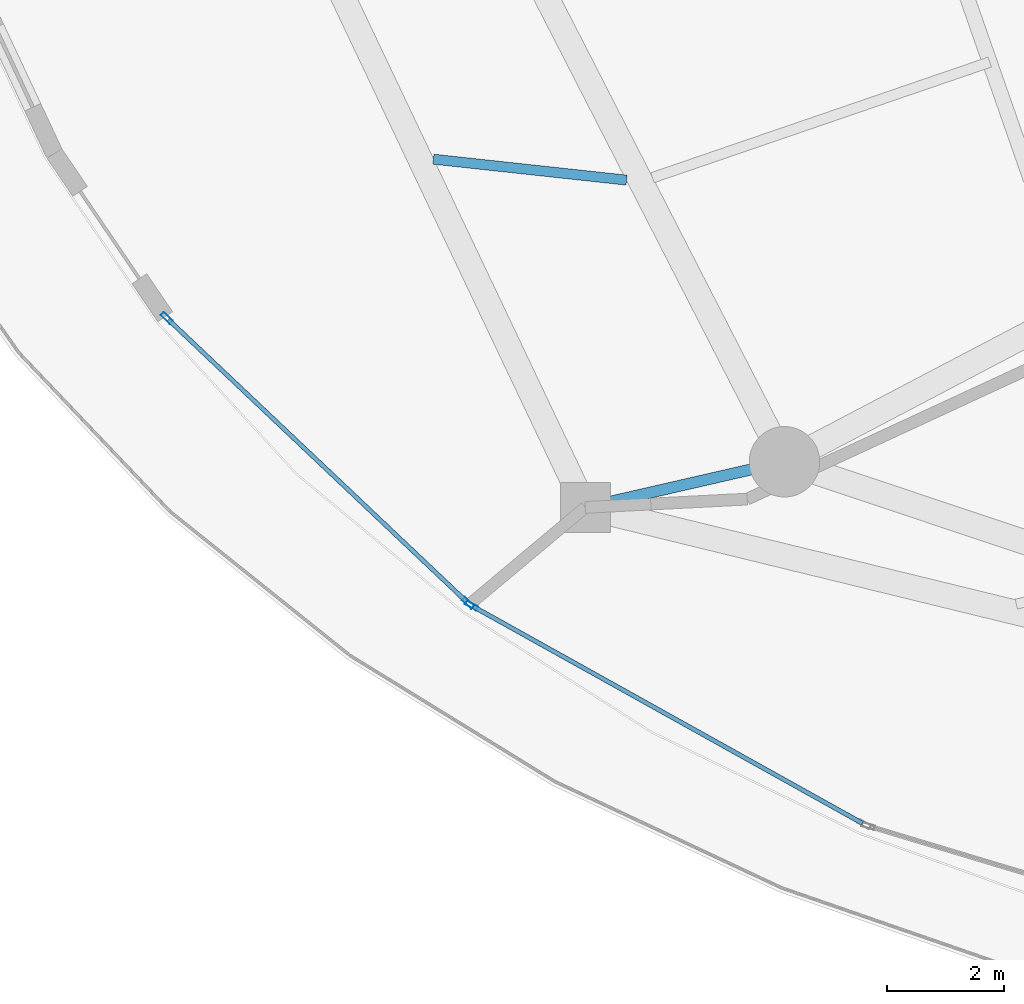
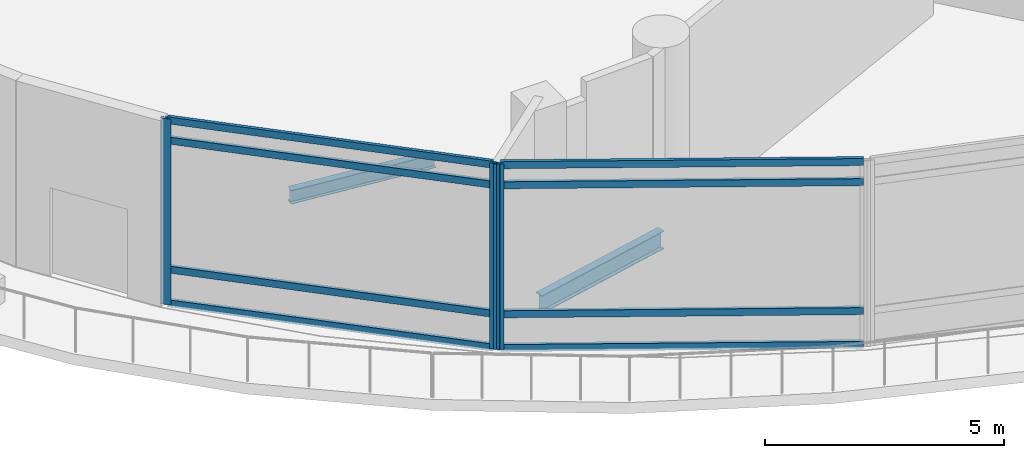
# One storey, part 2 of 34: 11 members, 2 beams, 2 elements without a shape of their own.
"""IFC4 building model written with IfcOpenShell, lengths in metres."""

from ifc_helpers import new_model, si_unit, direction, frame, origin, origin_2d, place, context, subcontext, project, spatial, hollow_rectangle, i_section, extrude, material, layer, layer_set, material_profile, profile_set, type_object, element, aggregate, save


model = new_model("IFC4")

# Units and contexts
model_context = context("Model", 3, precision=1e-05, world=origin(), true_north=direction((0.0, 1.0)))
body_context = subcontext(model_context, "Body", "Model", "MODEL_VIEW")
ifc_project = project(units=[si_unit("LENGTHUNIT", "METRE"), si_unit("AREAUNIT", "SQUARE_METRE"), si_unit("VOLUMEUNIT", "CUBIC_METRE"), si_unit("PLANEANGLEUNIT", "RADIAN"), si_unit("MASSUNIT", "GRAM", prefix="KILO")], contexts=[model_context])

# Site, building, storey
site_placement = place(None, origin())
site = spatial("IfcSite", under=ifc_project, at=site_placement, CompositionType="ELEMENT")
building_placement = place(site_placement, origin())
building = spatial("IfcBuilding", under=site, at=building_placement, Name="Nuhasar Tower", CompositionType="ELEMENT")
storey_placement = place(building_placement, frame((0.0, 0.0, 16.0)))
storey = spatial("IfcBuildingStorey", under=building, at=storey_placement, Name="L03", CompositionType="ELEMENT", Elevation=16.0)

# Beams
ifc_material_1 = material(Name="Steel S355", Category="steel")
ifc_material_profile_1 = material_profile(ifc_material_1, i_section(OverallWidth=0.1708984375, OverallDepth=0.35205078125, WebThickness=0.0068359375, FlangeThickness=0.009765625, at=origin_2d()), Name="W14X30")
ifc_profile_set_1 = profile_set([ifc_material_profile_1], Name="Steel S355")
beam_type_1 = type_object("IfcBeamType", Name="BM-JST-W14X30", PredefinedType="JOIST", material=ifc_profile_set_1)
beam_1_placement = place(storey_placement, frame((18.595947265625, 17.281005859375, -0.47607421875), z_axis=(-0.994173354621, 0.107793046904, 0.0), x_axis=(-0.107793046904, -0.994173354621, 0.0)))
element("IfcBeam", 1, at=beam_1_placement, inside=storey, type_object=beam_type_1, Name="L03 Podium Secondary Joist 16", PredefinedType="JOIST", context=body_context, shape_type="SweptSolid", body=[
    extrude(i_section(OverallWidth=0.1708984375, OverallDepth=0.35205078125, WebThickness=0.0068359375, FlangeThickness=0.009765625, at=origin_2d()), origin(), (0.0, 0.0, 1.0), 3.311279296875),
])
ifc_material_profile_2 = material_profile(ifc_material_1, i_section(OverallWidth=0.18994140625, OverallDepth=0.45703125, WebThickness=0.009033203125, FlangeThickness=0.014404296875, at=origin_2d()), Name="W18X50")
ifc_profile_set_2 = profile_set([ifc_material_profile_2], Name="Steel S355")
beam_type_2 = type_object("IfcBeamType", Name="BM-RAD-W18X50", PredefinedType="BEAM", material=ifc_profile_set_2)
beam_2_placement = place(storey_placement, frame((21.287109375, 12.48095703125, -0.529052734375), z_axis=(-0.974715141502, -0.223451097394, 0.0), x_axis=(0.223451097394, -0.974715141502, 0.0)))
element("IfcBeam", 2, at=beam_2_placement, inside=storey, type_object=beam_type_2, Name="L03 Podium Radial Girder 01", PredefinedType="BEAM", context=body_context, shape_type="SweptSolid", body=[
    extrude(i_section(OverallWidth=0.18994140625, OverallDepth=0.45703125, WebThickness=0.009033203125, FlangeThickness=0.014404296875, at=origin_2d()), origin(), (0.0, 0.0, 1.0), 3.482177734375),
])

# Curtain wall, members
ifc_material_2 = material(Name="Aluminium 6063-T6", Category="aluminium")
ifc_layer = layer(ifc_material_2, 0.219970703125)
ifc_layer_set = layer_set([ifc_layer], Name="Aluminium 6063-T6")
curtain_wall_type = type_object("IfcCurtainWallType", Name="CW-PODIUM", PredefinedType="NOTDEFINED", material=ifc_layer_set)
curtain_wall_1_placement = place(storey_placement, origin())
curtain_wall_1 = element("IfcCurtainWall", 3, at=curtain_wall_1_placement, inside=storey, type_object=curtain_wall_type, Name="L03 Podium Curtain Wall Bay 15", PredefinedType="NOTDEFINED")
ifc_material_profile_3 = material_profile(ifc_material_2, hollow_rectangle(XDim=0.074951171875, YDim=0.219970703125, WallThickness=0.0048828125, at=origin_2d()), Name="CWM-1")
ifc_profile_set_3 = profile_set([ifc_material_profile_3], Name="Aluminium 6063-T6")
member_type_1 = type_object("IfcMemberType", Name="CW-MUL-S1", PredefinedType="MULLION", material=ifc_profile_set_3)
member_1_placement = place(storey_placement, frame((10.76025390625, 14.92919921875, 0.0), z_axis=(0.0, 0.0, 1.0), x_axis=(0.687153902439, 0.726511881777, 0.0)))
member_1 = element("IfcMember", 4, at=member_1_placement, type_object=member_type_1, Name="CW-P1 mullion 1", PredefinedType="MULLION", context=body_context, shape_type="SweptSolid", body=[
    extrude(hollow_rectangle(XDim=0.074951171875, YDim=0.219970703125, WallThickness=0.0048828125, at=origin_2d()), origin(), (0.0, 0.0, 1.0), 4.739990234375),
])
member_2_placement = place(storey_placement, frame((15.892822265625, 10.07470703125, 0.0), z_axis=(0.0, 0.0, 1.0), x_axis=(0.687153902439, 0.726511881777, 0.0)))
member_2 = element("IfcMember", 5, at=member_2_placement, type_object=member_type_1, Name="CW-P1 mullion 2", PredefinedType="MULLION", context=body_context, shape_type="SweptSolid", body=[
    extrude(hollow_rectangle(XDim=0.074951171875, YDim=0.219970703125, WallThickness=0.0048828125, at=origin_2d()), origin(), (0.0, 0.0, 1.0), 4.739990234375),
])

# Curtain wall, member
curtain_wall_2_placement = place(storey_placement, origin())
curtain_wall_2 = element("IfcCurtainWall", 6, at=curtain_wall_2_placement, inside=storey, type_object=curtain_wall_type, Name="L03 Podium Curtain Wall Bay 16", PredefinedType="NOTDEFINED")
member_3_placement = place(storey_placement, frame((15.952880859375, 10.03076171875, 0.0), z_axis=(0.0, 0.0, 1.0), x_axis=(0.486575351992, 0.873638613406, 0.0)))
member_3 = element("IfcMember", 7, at=member_3_placement, type_object=member_type_1, Name="CW-P1 mullion 1", PredefinedType="MULLION", context=body_context, shape_type="SweptSolid", body=[
    extrude(hollow_rectangle(XDim=0.074951171875, YDim=0.219970703125, WallThickness=0.0048828125, at=origin_2d()), origin(), (0.0, 0.0, 1.0), 4.739990234375),
])

# Member
ifc_material_profile_4 = material_profile(ifc_material_2, hollow_rectangle(XDim=0.074951171875, YDim=0.179931640625, WallThickness=0.00439453125, at=origin_2d()), Name="CWT-1")
ifc_profile_set_4 = profile_set([ifc_material_profile_4], Name="Aluminium 6063-T6")
member_type_2 = type_object("IfcMemberType", Name="CW-TRN-S1", PredefinedType="USERDEFINED", material=ifc_profile_set_4)
member_4_placement = place(storey_placement, frame((10.78759765625, 14.903564453125, 0.03759765625), z_axis=(0.726498578965, -0.687167966921, 0.0), x_axis=(0.687167966921, 0.726498578965, 0.0)))
member_4 = element("IfcMember", 8, at=member_4_placement, type_object=member_type_2, Name="CW-P1 transom 1.1", ObjectType="TRANSOM", PredefinedType="USERDEFINED", context=body_context, shape_type="SweptSolid", body=[
    extrude(hollow_rectangle(XDim=0.074951171875, YDim=0.179931640625, WallThickness=0.00439453125, at=origin_2d()), origin(), (0.0, 0.0, 1.0), 6.989501953125),
])

member_5_placement = place(storey_placement, frame((10.78759765625, 14.903564453125, 0.89990234375), z_axis=(0.726498578965, -0.687167966921, 0.0), x_axis=(0.687167966921, 0.726498578965, 0.0)))
member_5 = element("IfcMember", 9, at=member_5_placement, type_object=member_type_2, Name="CW-P1 transom 1.2", ObjectType="TRANSOM", PredefinedType="USERDEFINED", context=body_context, shape_type="SweptSolid", body=[
    extrude(hollow_rectangle(XDim=0.074951171875, YDim=0.179931640625, WallThickness=0.00439453125, at=origin_2d()), origin(), (0.0, 0.0, 1.0), 6.989501953125),
])

member_6_placement = place(storey_placement, frame((10.78759765625, 14.903564453125, 4.18994140625), z_axis=(0.726498578965, -0.687167966921, 0.0), x_axis=(0.687167966921, 0.726498578965, 0.0)))
member_6 = element("IfcMember", 10, at=member_6_placement, type_object=member_type_2, Name="CW-P1 transom 1.3", ObjectType="TRANSOM", PredefinedType="USERDEFINED", context=body_context, shape_type="SweptSolid", body=[
    extrude(hollow_rectangle(XDim=0.074951171875, YDim=0.179931640625, WallThickness=0.00439453125, at=origin_2d()), origin(), (0.0, 0.0, 1.0), 6.989501953125),
])

member_7_placement = place(storey_placement, frame((10.78759765625, 14.903564453125, 4.702392578125), z_axis=(0.726498578965, -0.687167966921, 0.0), x_axis=(0.687167966921, 0.726498578965, 0.0)))
member_7 = element("IfcMember", 11, at=member_7_placement, type_object=member_type_2, Name="CW-P1 transom 1.4", ObjectType="TRANSOM", PredefinedType="USERDEFINED", context=body_context, shape_type="SweptSolid", body=[
    extrude(hollow_rectangle(XDim=0.074951171875, YDim=0.179931640625, WallThickness=0.00439453125, at=origin_2d()), origin(), (0.0, 0.0, 1.0), 6.989501953125),
])

aggregate(curtain_wall_1, [member_1, member_2, member_4, member_5, member_6, member_7])

member_8_placement = place(storey_placement, frame((15.985595703125, 10.012451171875, 0.03759765625), z_axis=(0.873643793094, -0.486566051825, 0.0), x_axis=(0.486566051825, 0.873643793094, 0.0)))
member_8 = element("IfcMember", 12, at=member_8_placement, type_object=member_type_2, Name="CW-P1 transom 1.1", ObjectType="TRANSOM", PredefinedType="USERDEFINED", context=body_context, shape_type="SweptSolid", body=[
    extrude(hollow_rectangle(XDim=0.074951171875, YDim=0.179931640625, WallThickness=0.00439453125, at=origin_2d()), origin(), (0.0, 0.0, 1.0), 7.587646484375),
])

member_9_placement = place(storey_placement, frame((15.985595703125, 10.012451171875, 0.89990234375), z_axis=(0.873643793094, -0.486566051825, 0.0), x_axis=(0.486566051825, 0.873643793094, 0.0)))
member_9 = element("IfcMember", 13, at=member_9_placement, type_object=member_type_2, Name="CW-P1 transom 1.2", ObjectType="TRANSOM", PredefinedType="USERDEFINED", context=body_context, shape_type="SweptSolid", body=[
    extrude(hollow_rectangle(XDim=0.074951171875, YDim=0.179931640625, WallThickness=0.00439453125, at=origin_2d()), origin(), (0.0, 0.0, 1.0), 7.587646484375),
])

member_10_placement = place(storey_placement, frame((15.985595703125, 10.012451171875, 4.18994140625), z_axis=(0.873643793094, -0.486566051825, 0.0), x_axis=(0.486566051825, 0.873643793094, 0.0)))
member_10 = element("IfcMember", 14, at=member_10_placement, type_object=member_type_2, Name="CW-P1 transom 1.3", ObjectType="TRANSOM", PredefinedType="USERDEFINED", context=body_context, shape_type="SweptSolid", body=[
    extrude(hollow_rectangle(XDim=0.074951171875, YDim=0.179931640625, WallThickness=0.00439453125, at=origin_2d()), origin(), (0.0, 0.0, 1.0), 7.587646484375),
])

member_11_placement = place(storey_placement, frame((15.985595703125, 10.012451171875, 4.702392578125), z_axis=(0.873643793094, -0.486566051825, 0.0), x_axis=(0.486566051825, 0.873643793094, 0.0)))
member_11 = element("IfcMember", 15, at=member_11_placement, type_object=member_type_2, Name="CW-P1 transom 1.4", ObjectType="TRANSOM", PredefinedType="USERDEFINED", context=body_context, shape_type="SweptSolid", body=[
    extrude(hollow_rectangle(XDim=0.074951171875, YDim=0.179931640625, WallThickness=0.00439453125, at=origin_2d()), origin(), (0.0, 0.0, 1.0), 7.587646484375),
])

aggregate(curtain_wall_2, [member_3, member_8, member_9, member_10, member_11])

save(model, "model.ifc")
